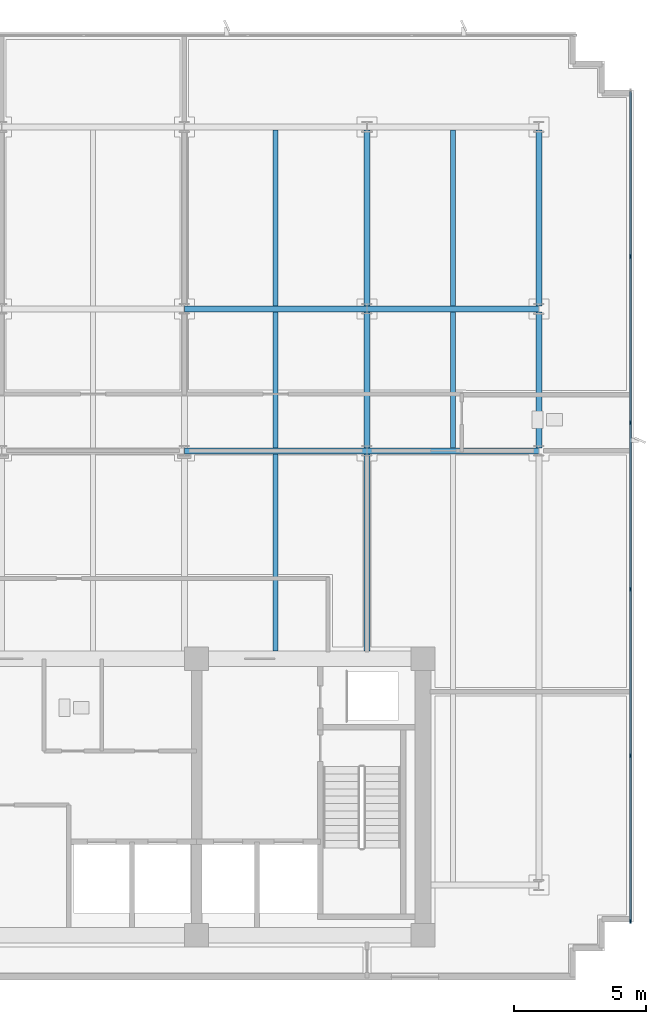
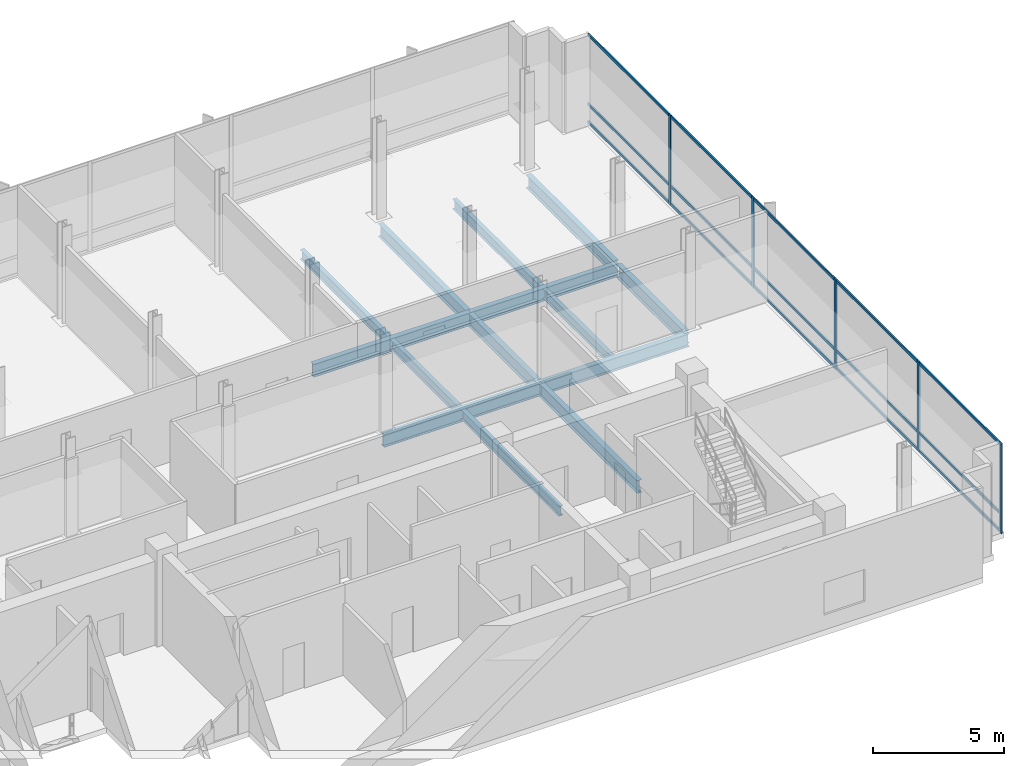
# One storey, part 6 of 17: 20 members, 14 beams, 1 element without a shape of its own.
"""IFC4 building model written with IfcOpenShell, lengths in metres."""

from ifc_helpers import new_model, si_unit, direction, frame, origin, origin_2d, place, context, subcontext, project, spatial, rectangle, i_section, extrude, material, material_profile, profile_set, type_object, element, aggregate, save


model = new_model("IFC4")

# Units and contexts
model_context = context("Model", 3, precision=1e-05, world=origin(), true_north=direction((0.0, 1.0)))
body_context = subcontext(model_context, "Body", "Model", "MODEL_VIEW")
ifc_project = project(units=[si_unit("LENGTHUNIT", "METRE"), si_unit("AREAUNIT", "SQUARE_METRE"), si_unit("VOLUMEUNIT", "CUBIC_METRE"), si_unit("PLANEANGLEUNIT", "RADIAN"), si_unit("MASSUNIT", "GRAM", prefix="KILO")], contexts=[model_context])

# Site, building, storey
site_placement = place(None, origin())
site = spatial("IfcSite", under=ifc_project, at=site_placement, CompositionType="ELEMENT")
building_placement = place(site_placement, origin())
building = spatial("IfcBuilding", under=site, at=building_placement, Name="Solmavex Isthmus Hotel", CompositionType="ELEMENT")
storey_placement = place(building_placement, frame((0.0, 0.0, 286.800048828125)))
storey = spatial("IfcBuildingStorey", under=building, at=storey_placement, Name="L78", CompositionType="ELEMENT", Elevation=286.800048828125)

# Beams
ifc_material_1 = material(Name="Steel ASTM A992 Grade 50", Category="steel")
ifc_material_profile_1 = material_profile(ifc_material_1, i_section(OverallWidth=0.1904296875, OverallDepth=0.456787109375, WebThickness=0.009033203125, FlangeThickness=0.014404296875, FilletRadius=0.0126953125, at=origin_2d()), Name="W18X50")
ifc_profile_set_1 = profile_set([ifc_material_profile_1], Name="Steel ASTM A992 Grade 50")
beam_type_1 = type_object("IfcBeamType", Name="BM-BJ-W18X50", PredefinedType="JOIST", material=ifc_profile_set_1)
beam_1_placement = place(storey_placement, frame((10.404052734375, -2.199951171875, -0.488525390625), z_axis=(0.0, 1.0, 0.0), x_axis=(-1.0, 0.0, 0.0)))
element("IfcBeam", 1, at=beam_1_placement, inside=storey, type_object=beam_type_1, Name="Secondary Floor Joist L78-J13", PredefinedType="JOIST", context=body_context, shape_type="SweptSolid", body=[
    extrude(i_section(OverallWidth=0.1904296875, OverallDepth=0.456787109375, WebThickness=0.009033203125, FlangeThickness=0.014404296875, FilletRadius=0.0126953125, at=origin_2d()), origin(), (0.0, 0.0, 1.0), 7.486083984375),
])
beam_2_placement = place(storey_placement, frame((10.404052734375, 5.513916015625, -0.488525390625), z_axis=(0.0, 1.0, 0.0), x_axis=(-1.0, 0.0, 0.0)))
element("IfcBeam", 2, at=beam_2_placement, inside=storey, type_object=beam_type_1, Name="Secondary Floor Joist L78-J14", PredefinedType="JOIST", context=body_context, shape_type="SweptSolid", body=[
    extrude(i_section(OverallWidth=0.1904296875, OverallDepth=0.456787109375, WebThickness=0.009033203125, FlangeThickness=0.014404296875, FilletRadius=0.0126953125, at=origin_2d()), origin(), (0.0, 0.0, 1.0), 5.16015625),
])
beam_3_placement = place(storey_placement, frame((10.404052734375, 10.90185546875, -0.488525390625), z_axis=(0.0, 1.0, 0.0), x_axis=(-1.0, 0.0, 0.0)))
element("IfcBeam", 3, at=beam_3_placement, inside=storey, type_object=beam_type_1, Name="Secondary Floor Joist L78-J15", PredefinedType="JOIST", context=body_context, shape_type="SweptSolid", body=[
    extrude(i_section(OverallWidth=0.1904296875, OverallDepth=0.456787109375, WebThickness=0.009033203125, FlangeThickness=0.014404296875, FilletRadius=0.0126953125, at=origin_2d()), origin(), (0.0, 0.0, 1.0), 6.682861328125),
])
beam_4_placement = place(storey_placement, frame((17.135986328125, 5.513916015625, -0.488525390625), z_axis=(0.0, 1.0, 0.0), x_axis=(-1.0, 0.0, 0.0)))
element("IfcBeam", 4, at=beam_4_placement, inside=storey, type_object=beam_type_1, Name="Secondary Floor Joist L78-J17", PredefinedType="JOIST", context=body_context, shape_type="SweptSolid", body=[
    extrude(i_section(OverallWidth=0.1904296875, OverallDepth=0.456787109375, WebThickness=0.009033203125, FlangeThickness=0.014404296875, FilletRadius=0.0126953125, at=origin_2d()), origin(), (0.0, 0.0, 1.0), 5.16015625),
])
beam_5_placement = place(storey_placement, frame((17.135986328125, 10.90185546875, -0.488525390625), z_axis=(0.0, 1.0, 0.0), x_axis=(-1.0, 0.0, 0.0)))
element("IfcBeam", 5, at=beam_5_placement, inside=storey, type_object=beam_type_1, Name="Secondary Floor Joist L78-J18", PredefinedType="JOIST", context=body_context, shape_type="SweptSolid", body=[
    extrude(i_section(OverallWidth=0.1904296875, OverallDepth=0.456787109375, WebThickness=0.009033203125, FlangeThickness=0.014404296875, FilletRadius=0.0126953125, at=origin_2d()), origin(), (0.0, 0.0, 1.0), 6.682861328125),
])
ifc_material_profile_2 = material_profile(ifc_material_1, i_section(OverallWidth=0.227783203125, OverallDepth=0.602783203125, WebThickness=0.010498046875, FlangeThickness=0.014892578125, FilletRadius=0.01513671875, at=origin_2d()), Name="W24X68")
ifc_profile_set_2 = profile_set([ifc_material_profile_2], Name="Steel ASTM A992 Grade 50")
beam_type_2 = type_object("IfcBeamType", Name="BM-BM-W24X68", PredefinedType="BEAM", material=ifc_profile_set_2)
beam_6_placement = place(storey_placement, frame((6.93603515625, 5.39990234375, -0.561279296875), z_axis=(1.0, 0.0, 0.0), x_axis=(0.0, 1.0, 0.0)))
element("IfcBeam", 6, at=beam_6_placement, inside=storey, type_object=beam_type_2, Name="Floor Girder L78-UG07", PredefinedType="BEAM", context=body_context, shape_type="SweptSolid", body=[
    extrude(i_section(OverallWidth=0.227783203125, OverallDepth=0.602783203125, WebThickness=0.010498046875, FlangeThickness=0.014892578125, FilletRadius=0.01513671875, at=origin_2d()), origin(), (0.0, 0.0, 1.0), 6.93603515625),
])
beam_7_placement = place(storey_placement, frame((13.8720703125, 5.39990234375, -0.561279296875), z_axis=(1.0, 0.0, 0.0), x_axis=(0.0, 1.0, 0.0)))
element("IfcBeam", 7, at=beam_7_placement, inside=storey, type_object=beam_type_2, Name="Floor Girder L78-UG08", PredefinedType="BEAM", context=body_context, shape_type="SweptSolid", body=[
    extrude(i_section(OverallWidth=0.227783203125, OverallDepth=0.602783203125, WebThickness=0.010498046875, FlangeThickness=0.014892578125, FilletRadius=0.01513671875, at=origin_2d()), origin(), (0.0, 0.0, 1.0), 6.52783203125),
])
beam_8_placement = place(storey_placement, frame((6.93603515625, 10.7880859375, -0.561279296875), z_axis=(1.0, 0.0, 0.0), x_axis=(0.0, 1.0, 0.0)))
element("IfcBeam", 8, at=beam_8_placement, inside=storey, type_object=beam_type_2, Name="Floor Girder L78-UG13", PredefinedType="BEAM", context=body_context, shape_type="SweptSolid", body=[
    extrude(i_section(OverallWidth=0.227783203125, OverallDepth=0.602783203125, WebThickness=0.010498046875, FlangeThickness=0.014892578125, FilletRadius=0.01513671875, at=origin_2d()), origin(), (0.0, 0.0, 1.0), 6.93603515625),
])
beam_9_placement = place(storey_placement, frame((13.8720703125, 10.7880859375, -0.561279296875), z_axis=(1.0, 0.0, 0.0), x_axis=(0.0, 1.0, 0.0)))
element("IfcBeam", 9, at=beam_9_placement, inside=storey, type_object=beam_type_2, Name="Floor Girder L78-UG14", PredefinedType="BEAM", context=body_context, shape_type="SweptSolid", body=[
    extrude(i_section(OverallWidth=0.227783203125, OverallDepth=0.602783203125, WebThickness=0.010498046875, FlangeThickness=0.014892578125, FilletRadius=0.01513671875, at=origin_2d()), origin(), (0.0, 0.0, 1.0), 6.52783203125),
])
beam_10_placement = place(storey_placement, frame((13.8720703125, -2.199951171875, -0.561279296875), z_axis=(0.0, 1.0, 0.0), x_axis=(-1.0, 0.0, 0.0)))
element("IfcBeam", 10, at=beam_10_placement, inside=storey, type_object=beam_type_2, Name="Floor Beam L78-VG36", PredefinedType="BEAM", context=body_context, shape_type="SweptSolid", body=[
    extrude(i_section(OverallWidth=0.227783203125, OverallDepth=0.602783203125, WebThickness=0.010498046875, FlangeThickness=0.014892578125, FilletRadius=0.01513671875, at=origin_2d()), origin(), (0.0, 0.0, 1.0), 7.486083984375),
])
beam_11_placement = place(storey_placement, frame((13.8720703125, 5.513916015625, -0.561279296875), z_axis=(0.0, 1.0, 0.0), x_axis=(-1.0, 0.0, 0.0)))
element("IfcBeam", 11, at=beam_11_placement, inside=storey, type_object=beam_type_2, Name="Floor Beam L78-VG37", PredefinedType="BEAM", context=body_context, shape_type="SweptSolid", body=[
    extrude(i_section(OverallWidth=0.227783203125, OverallDepth=0.602783203125, WebThickness=0.010498046875, FlangeThickness=0.014892578125, FilletRadius=0.01513671875, at=origin_2d()), origin(), (0.0, 0.0, 1.0), 5.16015625),
])
beam_12_placement = place(storey_placement, frame((13.8720703125, 10.90185546875, -0.561279296875), z_axis=(0.0, 1.0, 0.0), x_axis=(-1.0, 0.0, 0.0)))
element("IfcBeam", 12, at=beam_12_placement, inside=storey, type_object=beam_type_2, Name="Floor Beam L78-VG38", PredefinedType="BEAM", context=body_context, shape_type="SweptSolid", body=[
    extrude(i_section(OverallWidth=0.227783203125, OverallDepth=0.602783203125, WebThickness=0.010498046875, FlangeThickness=0.014892578125, FilletRadius=0.01513671875, at=origin_2d()), origin(), (0.0, 0.0, 1.0), 6.682861328125),
])
ifc_material_profile_3 = material_profile(ifc_material_1, i_section(OverallWidth=0.230224609375, OverallDepth=0.617431640625, WebThickness=0.01318359375, FlangeThickness=0.022216796875, FilletRadius=0.01513671875, at=origin_2d()), Name="W24X94")
ifc_profile_set_3 = profile_set([ifc_material_profile_3], Name="Steel ASTM A992 Grade 50")
beam_type_3 = type_object("IfcBeamType", Name="BM-SP-W24X94", PredefinedType="SPANDREL", material=ifc_profile_set_3)
beam_13_placement = place(storey_placement, frame((20.39990234375, 5.513916015625, -0.56884765625), z_axis=(0.0, 1.0, 0.0), x_axis=(-1.0, 0.0, 0.0)))
element("IfcBeam", 13, at=beam_13_placement, inside=storey, type_object=beam_type_3, Name="Floor Beam L78-VG40", PredefinedType="SPANDREL", context=body_context, shape_type="SweptSolid", body=[
    extrude(i_section(OverallWidth=0.230224609375, OverallDepth=0.617431640625, WebThickness=0.01318359375, FlangeThickness=0.022216796875, FilletRadius=0.01513671875, at=origin_2d()), origin(), (0.0, 0.0, 1.0), 5.16015625),
])
beam_14_placement = place(storey_placement, frame((20.39990234375, 10.90185546875, -0.56884765625), z_axis=(0.0, 1.0, 0.0), x_axis=(-1.0, 0.0, 0.0)))
element("IfcBeam", 14, at=beam_14_placement, inside=storey, type_object=beam_type_3, Name="Floor Beam L78-VG41", PredefinedType="SPANDREL", context=body_context, shape_type="SweptSolid", body=[
    extrude(i_section(OverallWidth=0.230224609375, OverallDepth=0.617431640625, WebThickness=0.01318359375, FlangeThickness=0.022216796875, FilletRadius=0.01513671875, at=origin_2d()), origin(), (0.0, 0.0, 1.0), 6.682861328125),
])

# Curtain wall, members
ifc_material_2 = material(Name="Aluminium alloy 6063-T6", Category="aluminium")
curtain_wall_type = type_object("IfcCurtainWallType", Name="CW-SYS-05", PredefinedType="NOTDEFINED", material=ifc_material_2)
curtain_wall_placement = place(storey_placement, origin())
curtain_wall = element("IfcCurtainWall", 15, at=curtain_wall_placement, inside=storey, type_object=curtain_wall_type, Name="Stick Curtain Wall CWL-L78-E1", PredefinedType="NOTDEFINED")
ifc_material_profile_4 = material_profile(ifc_material_2, rectangle(XDim=0.06494140625, YDim=0.159912109375, at=origin_2d()), Name="CWM-65X160")
ifc_profile_set_4 = profile_set([ifc_material_profile_4], Name="Aluminium alloy 6063-T6")
member_type_1 = type_object("IfcMemberType", Name="CW-SYS-05-MUL", PredefinedType="MULLION", material=ifc_profile_set_4)
member_1_placement = place(storey_placement, frame((23.8798828125, -12.467529296875, 0.0), z_axis=(0.0, 0.0, 1.0), x_axis=(-1.0, 0.0, 0.0)))
member_1 = element("IfcMember", 16, at=member_1_placement, type_object=member_type_1, Name="CW-05 mullion 1", PredefinedType="MULLION", context=body_context, shape_type="SweptSolid", body=[
    extrude(rectangle(XDim=0.06494140625, YDim=0.159912109375, at=origin_2d()), origin(), (0.0, 0.0, 1.0), 4.199951171875),
])
member_2_placement = place(storey_placement, frame((23.8798828125, -6.179931640625, 0.0), z_axis=(0.0, 0.0, 1.0), x_axis=(-1.0, 0.0, 0.0)))
member_2 = element("IfcMember", 17, at=member_2_placement, type_object=member_type_1, Name="CW-05 mullion 2", PredefinedType="MULLION", context=body_context, shape_type="SweptSolid", body=[
    extrude(rectangle(XDim=0.06494140625, YDim=0.159912109375, at=origin_2d()), origin(), (0.0, 0.0, 1.0), 4.199951171875),
])
member_3_placement = place(storey_placement, frame((23.8798828125, 0.139892578125, 0.0), z_axis=(0.0, 0.0, 1.0), x_axis=(-1.0, 0.0, 0.0)))
member_3 = element("IfcMember", 18, at=member_3_placement, type_object=member_type_1, Name="CW-05 mullion 3", PredefinedType="MULLION", context=body_context, shape_type="SweptSolid", body=[
    extrude(rectangle(XDim=0.06494140625, YDim=0.159912109375, at=origin_2d()), origin(), (0.0, 0.0, 1.0), 4.199951171875),
])
member_4_placement = place(storey_placement, frame((23.8798828125, 6.4599609375, 0.0), z_axis=(0.0, 0.0, 1.0), x_axis=(-1.0, 0.0, 0.0)))
member_4 = element("IfcMember", 19, at=member_4_placement, type_object=member_type_1, Name="CW-05 mullion 4", PredefinedType="MULLION", context=body_context, shape_type="SweptSolid", body=[
    extrude(rectangle(XDim=0.06494140625, YDim=0.159912109375, at=origin_2d()), origin(), (0.0, 0.0, 1.0), 4.199951171875),
])
member_5_placement = place(storey_placement, frame((23.8798828125, 12.780029296875, 0.0), z_axis=(0.0, 0.0, 1.0), x_axis=(-1.0, 0.0, 0.0)))
member_5 = element("IfcMember", 20, at=member_5_placement, type_object=member_type_1, Name="CW-05 mullion 5", PredefinedType="MULLION", context=body_context, shape_type="SweptSolid", body=[
    extrude(rectangle(XDim=0.06494140625, YDim=0.159912109375, at=origin_2d()), origin(), (0.0, 0.0, 1.0), 4.199951171875),
])
ifc_material_profile_5 = material_profile(ifc_material_2, rectangle(XDim=0.06494140625, YDim=0.125, at=origin_2d()), Name="CWT-65X125")
ifc_profile_set_5 = profile_set([ifc_material_profile_5], Name="Aluminium alloy 6063-T6")
member_type_2 = type_object("IfcMemberType", Name="CW-SYS-05-TRN", PredefinedType="USERDEFINED", material=ifc_profile_set_5)
member_6_placement = place(storey_placement, frame((23.8798828125, -12.43505859375, 0.0625), z_axis=(0.0, 1.0, 0.0), x_axis=(-1.0, 0.0, 0.0)))
member_6 = element("IfcMember", 21, at=member_6_placement, type_object=member_type_2, Name="CW-05 transom 1.1", ObjectType="TRANSOM", PredefinedType="USERDEFINED", context=body_context, shape_type="SweptSolid", body=[
    extrude(rectangle(XDim=0.06494140625, YDim=0.125, at=origin_2d()), origin(), (0.0, 0.0, 1.0), 6.22265625),
])
member_7_placement = place(storey_placement, frame((23.8798828125, -12.43505859375, 0.89990234375), z_axis=(0.0, 1.0, 0.0), x_axis=(-1.0, 0.0, 0.0)))
member_7 = element("IfcMember", 22, at=member_7_placement, type_object=member_type_2, Name="CW-05 transom 1.2", ObjectType="TRANSOM", PredefinedType="USERDEFINED", context=body_context, shape_type="SweptSolid", body=[
    extrude(rectangle(XDim=0.06494140625, YDim=0.125, at=origin_2d()), origin(), (0.0, 0.0, 1.0), 6.22265625),
])
member_8_placement = place(storey_placement, frame((23.8798828125, -12.43505859375, 4.137451171875), z_axis=(0.0, 1.0, 0.0), x_axis=(-1.0, 0.0, 0.0)))
member_8 = element("IfcMember", 23, at=member_8_placement, type_object=member_type_2, Name="CW-05 transom 1.3", ObjectType="TRANSOM", PredefinedType="USERDEFINED", context=body_context, shape_type="SweptSolid", body=[
    extrude(rectangle(XDim=0.06494140625, YDim=0.125, at=origin_2d()), origin(), (0.0, 0.0, 1.0), 6.22265625),
])
member_9_placement = place(storey_placement, frame((23.8798828125, -6.1474609375, 0.0625), z_axis=(0.0, 1.0, 0.0), x_axis=(-1.0, 0.0, 0.0)))
member_9 = element("IfcMember", 24, at=member_9_placement, type_object=member_type_2, Name="CW-05 transom 2.1", ObjectType="TRANSOM", PredefinedType="USERDEFINED", context=body_context, shape_type="SweptSolid", body=[
    extrude(rectangle(XDim=0.06494140625, YDim=0.125, at=origin_2d()), origin(), (0.0, 0.0, 1.0), 6.2548828125),
])
member_10_placement = place(storey_placement, frame((23.8798828125, -6.1474609375, 0.89990234375), z_axis=(0.0, 1.0, 0.0), x_axis=(-1.0, 0.0, 0.0)))
member_10 = element("IfcMember", 25, at=member_10_placement, type_object=member_type_2, Name="CW-05 transom 2.2", ObjectType="TRANSOM", PredefinedType="USERDEFINED", context=body_context, shape_type="SweptSolid", body=[
    extrude(rectangle(XDim=0.06494140625, YDim=0.125, at=origin_2d()), origin(), (0.0, 0.0, 1.0), 6.2548828125),
])
member_11_placement = place(storey_placement, frame((23.8798828125, -6.1474609375, 4.137451171875), z_axis=(0.0, 1.0, 0.0), x_axis=(-1.0, 0.0, 0.0)))
member_11 = element("IfcMember", 26, at=member_11_placement, type_object=member_type_2, Name="CW-05 transom 2.3", ObjectType="TRANSOM", PredefinedType="USERDEFINED", context=body_context, shape_type="SweptSolid", body=[
    extrude(rectangle(XDim=0.06494140625, YDim=0.125, at=origin_2d()), origin(), (0.0, 0.0, 1.0), 6.2548828125),
])
member_12_placement = place(storey_placement, frame((23.8798828125, 0.172607421875, 0.0625), z_axis=(0.0, 1.0, 0.0), x_axis=(-1.0, 0.0, 0.0)))
member_12 = element("IfcMember", 27, at=member_12_placement, type_object=member_type_2, Name="CW-05 transom 3.1", ObjectType="TRANSOM", PredefinedType="USERDEFINED", context=body_context, shape_type="SweptSolid", body=[
    extrude(rectangle(XDim=0.06494140625, YDim=0.125, at=origin_2d()), origin(), (0.0, 0.0, 1.0), 6.2548828125),
])
member_13_placement = place(storey_placement, frame((23.8798828125, 0.172607421875, 0.89990234375), z_axis=(0.0, 1.0, 0.0), x_axis=(-1.0, 0.0, 0.0)))
member_13 = element("IfcMember", 28, at=member_13_placement, type_object=member_type_2, Name="CW-05 transom 3.2", ObjectType="TRANSOM", PredefinedType="USERDEFINED", context=body_context, shape_type="SweptSolid", body=[
    extrude(rectangle(XDim=0.06494140625, YDim=0.125, at=origin_2d()), origin(), (0.0, 0.0, 1.0), 6.2548828125),
])
member_14_placement = place(storey_placement, frame((23.8798828125, 0.172607421875, 4.137451171875), z_axis=(0.0, 1.0, 0.0), x_axis=(-1.0, 0.0, 0.0)))
member_14 = element("IfcMember", 29, at=member_14_placement, type_object=member_type_2, Name="CW-05 transom 3.3", ObjectType="TRANSOM", PredefinedType="USERDEFINED", context=body_context, shape_type="SweptSolid", body=[
    extrude(rectangle(XDim=0.06494140625, YDim=0.125, at=origin_2d()), origin(), (0.0, 0.0, 1.0), 6.2548828125),
])
member_15_placement = place(storey_placement, frame((23.8798828125, 6.492431640625, 0.0625), z_axis=(0.0, 1.0, 0.0), x_axis=(-1.0, 0.0, 0.0)))
member_15 = element("IfcMember", 30, at=member_15_placement, type_object=member_type_2, Name="CW-05 transom 4.1", ObjectType="TRANSOM", PredefinedType="USERDEFINED", context=body_context, shape_type="SweptSolid", body=[
    extrude(rectangle(XDim=0.06494140625, YDim=0.125, at=origin_2d()), origin(), (0.0, 0.0, 1.0), 6.255126953125),
])
member_16_placement = place(storey_placement, frame((23.8798828125, 6.492431640625, 0.89990234375), z_axis=(0.0, 1.0, 0.0), x_axis=(-1.0, 0.0, 0.0)))
member_16 = element("IfcMember", 31, at=member_16_placement, type_object=member_type_2, Name="CW-05 transom 4.2", ObjectType="TRANSOM", PredefinedType="USERDEFINED", context=body_context, shape_type="SweptSolid", body=[
    extrude(rectangle(XDim=0.06494140625, YDim=0.125, at=origin_2d()), origin(), (0.0, 0.0, 1.0), 6.255126953125),
])
member_17_placement = place(storey_placement, frame((23.8798828125, 6.492431640625, 4.137451171875), z_axis=(0.0, 1.0, 0.0), x_axis=(-1.0, 0.0, 0.0)))
member_17 = element("IfcMember", 32, at=member_17_placement, type_object=member_type_2, Name="CW-05 transom 4.3", ObjectType="TRANSOM", PredefinedType="USERDEFINED", context=body_context, shape_type="SweptSolid", body=[
    extrude(rectangle(XDim=0.06494140625, YDim=0.125, at=origin_2d()), origin(), (0.0, 0.0, 1.0), 6.255126953125),
])
member_18_placement = place(storey_placement, frame((23.8798828125, 12.8125, 0.0625), z_axis=(0.0, 1.0, 0.0), x_axis=(-1.0, 0.0, 0.0)))
member_18 = element("IfcMember", 33, at=member_18_placement, type_object=member_type_2, Name="CW-05 transom 5.1", ObjectType="TRANSOM", PredefinedType="USERDEFINED", context=body_context, shape_type="SweptSolid", body=[
    extrude(rectangle(XDim=0.06494140625, YDim=0.125, at=origin_2d()), origin(), (0.0, 0.0, 1.0), 6.222412109375),
])
member_19_placement = place(storey_placement, frame((23.8798828125, 12.8125, 0.89990234375), z_axis=(0.0, 1.0, 0.0), x_axis=(-1.0, 0.0, 0.0)))
member_19 = element("IfcMember", 34, at=member_19_placement, type_object=member_type_2, Name="CW-05 transom 5.2", ObjectType="TRANSOM", PredefinedType="USERDEFINED", context=body_context, shape_type="SweptSolid", body=[
    extrude(rectangle(XDim=0.06494140625, YDim=0.125, at=origin_2d()), origin(), (0.0, 0.0, 1.0), 6.222412109375),
])
member_20_placement = place(storey_placement, frame((23.8798828125, 12.8125, 4.137451171875), z_axis=(0.0, 1.0, 0.0), x_axis=(-1.0, 0.0, 0.0)))
member_20 = element("IfcMember", 35, at=member_20_placement, type_object=member_type_2, Name="CW-05 transom 5.3", ObjectType="TRANSOM", PredefinedType="USERDEFINED", context=body_context, shape_type="SweptSolid", body=[
    extrude(rectangle(XDim=0.06494140625, YDim=0.125, at=origin_2d()), origin(), (0.0, 0.0, 1.0), 6.222412109375),
])
aggregate(curtain_wall, [member_1, member_2, member_3, member_4, member_5, member_6, member_7, member_8, member_9, member_10, member_11, member_12, member_13, member_14, member_15, member_16, member_17, member_18, member_19, member_20])

save(model, "model.ifc")
